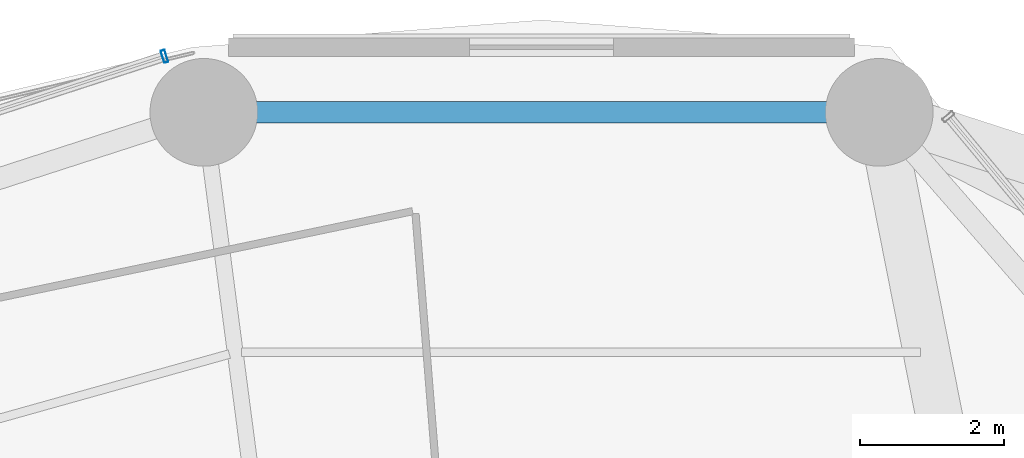
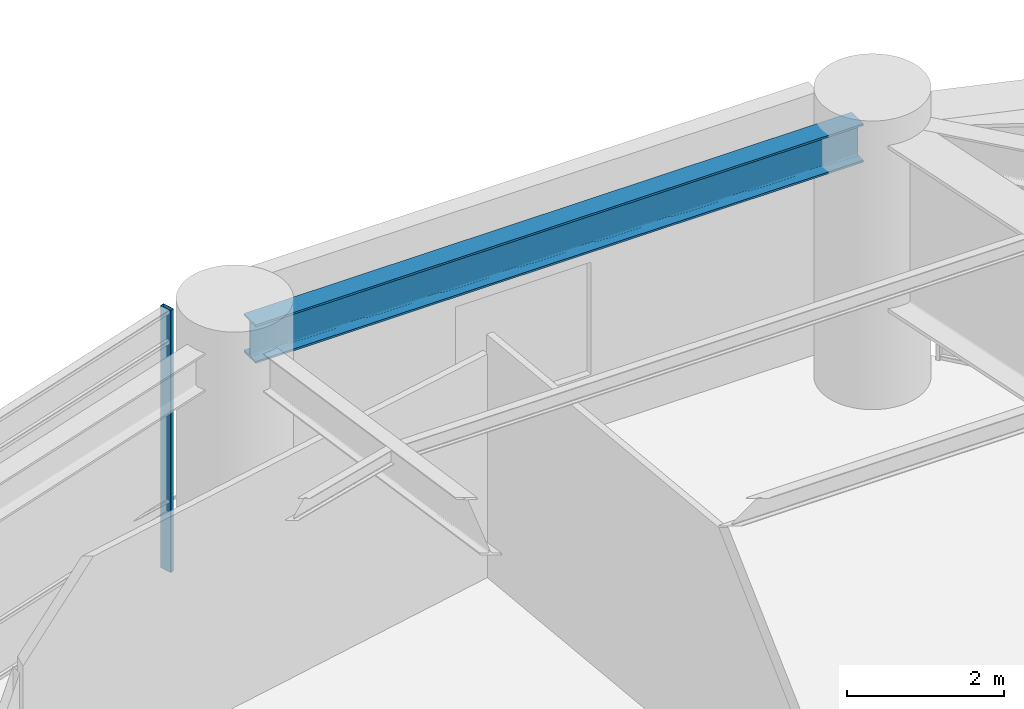
# One storey, part 33 of 52: 1 beam, 1 member, 1 element without a shape of its own.
"""IFC4 building model written with IfcOpenShell, lengths in metres."""

from ifc_helpers import new_model, si_unit, direction, frame, origin, origin_2d, place, context, subcontext, project, spatial, hollow_rectangle, i_section, extrude, material, layer, layer_set, material_profile, profile_set, type_object, element, aggregate, save


model = new_model("IFC4")

# Units and contexts
model_context = context("Model", 3, precision=1e-05, world=origin(), true_north=direction((0.0, 1.0)))
body_context = subcontext(model_context, "Body", "Model", "MODEL_VIEW")
ifc_project = project(units=[si_unit("LENGTHUNIT", "METRE"), si_unit("AREAUNIT", "SQUARE_METRE"), si_unit("VOLUMEUNIT", "CUBIC_METRE"), si_unit("PLANEANGLEUNIT", "RADIAN"), si_unit("MASSUNIT", "GRAM", prefix="KILO")], contexts=[model_context])

# Site, building, storey
site_placement = place(None, origin())
site = spatial("IfcSite", under=ifc_project, at=site_placement, CompositionType="ELEMENT")
building_placement = place(site_placement, origin())
building = spatial("IfcBuilding", under=site, at=building_placement, Name="Kelanora Arch Commons", CompositionType="ELEMENT")
storey_placement = place(building_placement, frame((0.0, 0.0, 13.5)))
storey = spatial("IfcBuildingStorey", under=building, at=storey_placement, Name="L03", CompositionType="ELEMENT", Elevation=13.5)

# Beam
ifc_material_1 = material(Name="Steel S355", Category="steel")
ifc_material_profile_1 = material_profile(ifc_material_1, i_section(OverallWidth=0.300048828125, OverallDepth=0.60009765625, WebThickness=0.015380859375, FlangeThickness=0.030029296875, FilletRadius=0.027099609375, at=origin_2d()), Name="HEB600")
ifc_profile_set_1 = profile_set([ifc_material_profile_1], Name="Steel S355")
beam_type = type_object("IfcBeamType", Name="BM-SPN-Z1", PredefinedType="SPANDREL", material=ifc_profile_set_1)
beam_placement = place(storey_placement, frame((78.482421875, 81.714111328125, 3.800048828125), z_axis=(-1.0, 0.0, 0.0), x_axis=(0.0, -1.0, 0.0)))
element("IfcBeam", 1, at=beam_placement, inside=storey, type_object=beam_type, Name="Perimeter Spandrel Beam BS-08 L03", PredefinedType="SPANDREL", context=body_context, shape_type="SweptSolid", body=[
    extrude(i_section(OverallWidth=0.300048828125, OverallDepth=0.60009765625, WebThickness=0.015380859375, FlangeThickness=0.030029296875, FilletRadius=0.027099609375, at=origin_2d()), origin(), (0.0, 0.0, 1.0), 8.96484375),
])

# Curtain wall, member
ifc_material_2 = material(Name="Terracotta ceramic-fritted low-E glass and aluminium", Category="masonry")
ifc_layer = layer(ifc_material_2, 0.2099609375)
ifc_layer_set = layer_set([ifc_layer], Name="Terracotta ceramic-fritted low-E glass and aluminium")
curtain_wall_type = type_object("IfcCurtainWallType", Name="CW-SYS-04", PredefinedType="NOTDEFINED", material=ifc_layer_set)
curtain_wall_placement = place(storey_placement, origin())
curtain_wall = element("IfcCurtainWall", 2, at=curtain_wall_placement, inside=storey, type_object=curtain_wall_type, Name="Unitised Curtain Wall L03-B05", PredefinedType="NOTDEFINED")
ifc_material_3 = material(Name="Powder-coated aluminium terracotta", Category="masonry")
ifc_material_profile_2 = material_profile(ifc_material_3, hollow_rectangle(XDim=0.179931640625, YDim=0.06005859375, WallThickness=0.0048828125, InnerFilletRadius=0.0048828125, OuterFilletRadius=0.010009765625, at=origin_2d()), Name="CWM180x60")
ifc_profile_set_2 = profile_set([ifc_material_profile_2], Name="Powder-coated aluminium terracotta")
member_type = type_object("IfcMemberType", Name="CWM-HVY", PredefinedType="MULLION", material=ifc_profile_set_2)
member_placement = place(storey_placement, frame((68.74853515625, 82.49365234375, 0.0), z_axis=(0.0, 0.0, 1.0), x_axis=(0.309069531911, -0.951039444211, 0.0)))
member = element("IfcMember", 3, at=member_placement, type_object=member_type, Name="CW-04 mullion 1", PredefinedType="MULLION", context=body_context, shape_type="SweptSolid", body=[
    extrude(hollow_rectangle(XDim=0.179931640625, YDim=0.06005859375, WallThickness=0.0048828125, InnerFilletRadius=0.0048828125, OuterFilletRadius=0.010009765625, at=origin_2d()), origin(), (0.0, 0.0, 1.0), 4.0849609375),
])
aggregate(curtain_wall, [member])

save(model, "model.ifc")
